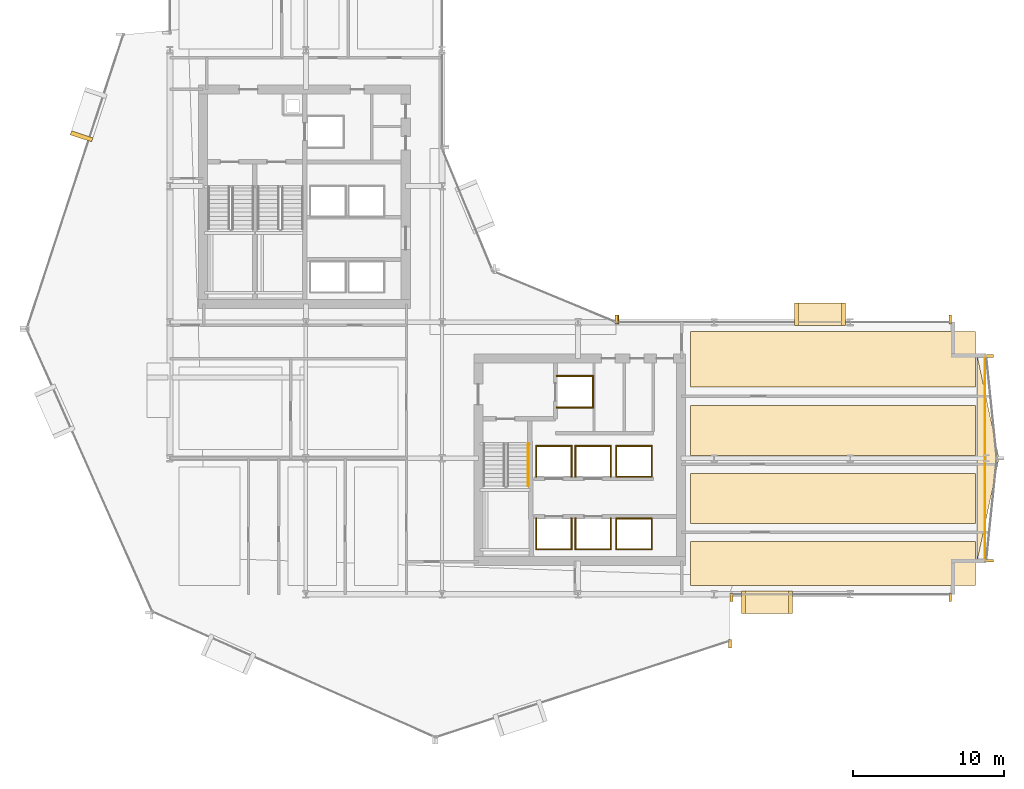
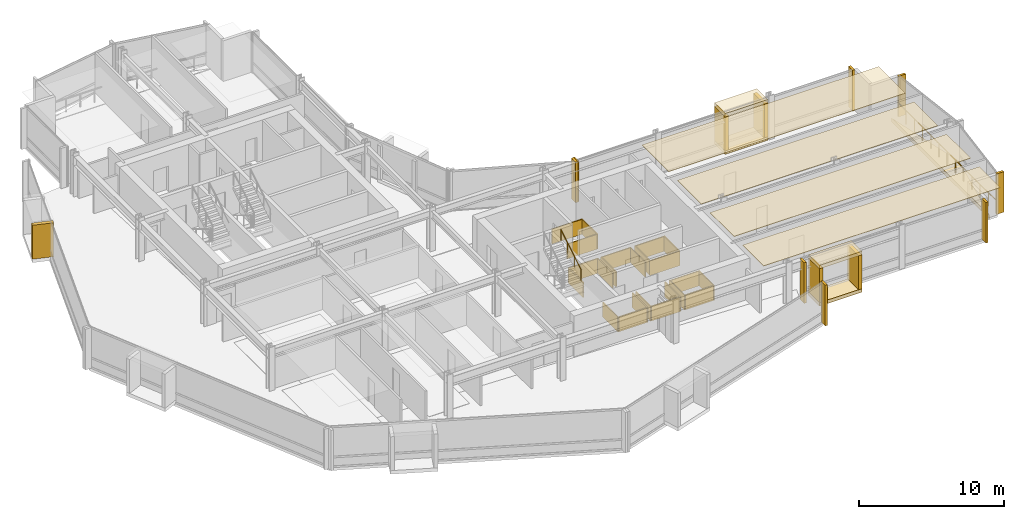
# One storey, part 32 of 34: 45 coverings, 2 railings.
"""IFC4 building model written with IfcOpenShell, lengths in metres."""

from ifc_helpers import new_model, si_unit, direction, frame, origin, origin_2d, place, context, subcontext, project, spatial, polyline, rectangle, circle, outline, extrude, material, layer, layer_set, type_object, element, save


model = new_model("IFC4")

# Units and contexts
model_context = context("Model", 3, precision=1e-05, world=origin(), true_north=direction((0.0, 1.0)))
body_context = subcontext(model_context, "Body", "Model", "MODEL_VIEW")
ifc_project = project(units=[si_unit("LENGTHUNIT", "METRE"), si_unit("AREAUNIT", "SQUARE_METRE"), si_unit("VOLUMEUNIT", "CUBIC_METRE"), si_unit("PLANEANGLEUNIT", "RADIAN"), si_unit("MASSUNIT", "GRAM", prefix="KILO")], contexts=[model_context])

# Site, building, storey
site_placement = place(None, origin())
site = spatial("IfcSite", under=ifc_project, at=site_placement, CompositionType="ELEMENT")
building_placement = place(site_placement, origin())
building = spatial("IfcBuilding", under=site, at=building_placement, Name="Solvaryn Broadcast Tower", CompositionType="ELEMENT")
storey_placement = place(building_placement, frame((0.0, 0.0, 50.800048828125)))
storey = spatial("IfcBuildingStorey", under=building, at=storey_placement, Name="L11", CompositionType="ELEMENT", Elevation=50.800048828125)

# Coverings
ifc_material_1 = material(Name="Micro-Perforated Acoustic Gypsum Ceiling", Category="concrete")
ifc_layer_1 = layer(ifc_material_1, 0.0400390625)
ifc_layer_set_1 = layer_set([ifc_layer_1], Name="CV-CEIL-ACOUSTIC")
covering_type_1 = type_object("IfcCoveringType", Name="CV-CEIL-ACOUSTIC", PredefinedType="CEILING", material=ifc_layer_set_1)
covering_1_placement = place(storey_placement, frame((0.0, 0.0, 3.3798828125)))
element("IfcCovering", 1, at=covering_1_placement, inside=storey, type_object=covering_type_1, Name="L11 Room Acoustic Ceiling 9", PredefinedType="CEILING", context=body_context, shape_type="SweptSolid", body=[
    extrude(outline(polyline([(43.449951171875, 9.60009765625), (62.300048828125, 9.60009765625), (62.300048828125, 12.5), (43.449951171875, 12.5), (43.449951171875, 9.60009765625)])), origin(), (0.0, 0.0, 1.0), 0.0400390625),
])
covering_2_placement = place(storey_placement, frame((0.0, 0.0, 3.3798828125)))
element("IfcCovering", 2, at=covering_2_placement, inside=storey, type_object=covering_type_1, Name="L11 Room Acoustic Ceiling 10", PredefinedType="CEILING", context=body_context, shape_type="SweptSolid", body=[
    extrude(outline(polyline([(43.449951171875, 13.699951171875), (62.300048828125, 13.699951171875), (62.300048828125, 17.0), (43.449951171875, 17.0), (43.449951171875, 13.699951171875)])), origin(), (0.0, 0.0, 1.0), 0.0400390625),
])
covering_3_placement = place(storey_placement, frame((0.0, 0.0, 3.3798828125)))
element("IfcCovering", 3, at=covering_3_placement, inside=storey, type_object=covering_type_1, Name="L11 Room Acoustic Ceiling 11", PredefinedType="CEILING", context=body_context, shape_type="SweptSolid", body=[
    extrude(outline(polyline([(43.449951171875, 18.199951171875), (62.300048828125, 18.199951171875), (62.300048828125, 21.5), (43.449951171875, 21.5), (43.449951171875, 18.199951171875)])), origin(), (0.0, 0.0, 1.0), 0.0400390625),
])
covering_4_placement = place(storey_placement, frame((0.0, 0.0, 3.3798828125)))
element("IfcCovering", 4, at=covering_4_placement, inside=storey, type_object=covering_type_1, Name="L11 Room Acoustic Ceiling 12", PredefinedType="CEILING", context=body_context, shape_type="SweptSolid", body=[
    extrude(outline(polyline([(43.449951171875, 22.699951171875), (62.300048828125, 22.699951171875), (62.300048828125, 26.39990234375), (43.449951171875, 26.39990234375), (43.449951171875, 22.699951171875)])), origin(), (0.0, 0.0, 1.0), 0.0400390625),
])
ifc_material_2 = material(Name="Fire-Rated Gypsum Shaftwall Liner", Category="concrete")
ifc_layer_2 = layer(ifc_material_2, 0.080078125)
ifc_layer_set_2 = layer_set([ifc_layer_2], Name="CV-SHAFT-LINER")
covering_type_2 = type_object("IfcCoveringType", Name="CV-SHAFT-LINER", PredefinedType="CLADDING", material=ifc_layer_set_2)
for number, where, z_axis, x_axis, name in (
    (5, (35.800048828125, 23.43994140625, 0.0), (0.0, 0.0, 1.0), (1.0, 0.0, 0.0), "L11 FL2 Hoistway Shaft Liner North"),
    (6, (35.800048828125, 21.360107421875, 0.0), (0.0, 0.0, 1.0), (1.0, 0.0, 0.0), "L11 FL2 Hoistway Shaft Liner South"),
):
    element("IfcCovering", number, at=place(storey_placement, frame(where, z_axis=z_axis, x_axis=x_axis)), inside=storey, type_object=covering_type_2, Name=name, PredefinedType="CLADDING", context=body_context, shape_type="SweptSolid", body=[
        extrude(rectangle(XDim=2.4599609375, YDim=0.080078125, at=origin_2d()), origin(), (0.0, 0.0, 1.0), 1.25),
    ])
covering_5_placement = place(storey_placement, frame((36.989990234375, 22.39990234375, 0.0), z_axis=(0.0, 0.0, 1.0), x_axis=(1.0, 0.0, 0.0)))
element("IfcCovering", 7, at=covering_5_placement, inside=storey, type_object=covering_type_2, Name="L11 FL2 Hoistway Shaft Liner East", PredefinedType="CLADDING", context=body_context, shape_type="SweptSolid", body=[
    extrude(rectangle(XDim=0.080078125, YDim=2.159912109375, at=origin_2d()), origin(), (0.0, 0.0, 1.0), 1.25),
])
covering_6_placement = place(storey_placement, frame((34.39990234375, 11.985107421875, 0.0), z_axis=(0.0, 0.0, 1.0), x_axis=(1.0, 0.0, 0.0)))
element("IfcCovering", 8, at=covering_6_placement, inside=storey, type_object=covering_type_2, Name="L11 PL1 Hoistway Shaft Liner South", PredefinedType="CLADDING", context=body_context, shape_type="SweptSolid", body=[
    extrude(rectangle(XDim=2.409912109375, YDim=0.080078125, at=origin_2d()), origin(), (0.0, 0.0, 1.0), 1.25),
])
for number, where, z_axis, x_axis, name in (
    (9, (35.56494140625, 13.0, 0.0), (0.0, 0.0, 1.0), (1.0, 0.0, 0.0), "L11 PL1 Hoistway Shaft Liner East"),
    (10, (33.235107421875, 13.0, 0.0), (0.0, 0.0, 1.0), (1.0, 0.0, 0.0), "L11 PL1 Hoistway Shaft Liner West"),
):
    element("IfcCovering", number, at=place(storey_placement, frame(where, z_axis=z_axis, x_axis=x_axis)), inside=storey, type_object=covering_type_2, Name=name, PredefinedType="CLADDING", context=body_context, shape_type="SweptSolid", body=[
        extrude(rectangle(XDim=0.080078125, YDim=2.110107421875, at=origin_2d()), origin(), (0.0, 0.0, 1.0), 1.25),
    ])
covering_7_placement = place(storey_placement, frame((37.0, 11.985107421875, 0.0), z_axis=(0.0, 0.0, 1.0), x_axis=(1.0, 0.0, 0.0)))
element("IfcCovering", 11, at=covering_7_placement, inside=storey, type_object=covering_type_2, Name="L11 PL2 Hoistway Shaft Liner South", PredefinedType="CLADDING", context=body_context, shape_type="SweptSolid", body=[
    extrude(rectangle(XDim=2.409912109375, YDim=0.080078125, at=origin_2d()), origin(), (0.0, 0.0, 1.0), 1.25),
])
for number, where, z_axis, x_axis, name in (
    (12, (38.1650390625, 13.0, 0.0), (0.0, 0.0, 1.0), (1.0, 0.0, 0.0), "L11 PL2 Hoistway Shaft Liner East"),
    (13, (35.8349609375, 13.0, 0.0), (0.0, 0.0, 1.0), (1.0, 0.0, 0.0), "L11 PL2 Hoistway Shaft Liner West"),
):
    element("IfcCovering", number, at=place(storey_placement, frame(where, z_axis=z_axis, x_axis=x_axis)), inside=storey, type_object=covering_type_2, Name=name, PredefinedType="CLADDING", context=body_context, shape_type="SweptSolid", body=[
        extrude(rectangle(XDim=0.080078125, YDim=2.110107421875, at=origin_2d()), origin(), (0.0, 0.0, 1.0), 1.25),
    ])
covering_8_placement = place(storey_placement, frame((34.39990234375, 18.81494140625, 0.0), z_axis=(0.0, 0.0, 1.0), x_axis=(1.0, 0.0, 0.0)))
element("IfcCovering", 14, at=covering_8_placement, inside=storey, type_object=covering_type_2, Name="L11 PL3 Hoistway Shaft Liner North", PredefinedType="CLADDING", context=body_context, shape_type="SweptSolid", body=[
    extrude(rectangle(XDim=2.409912109375, YDim=0.080078125, at=origin_2d()), origin(), (0.0, 0.0, 1.0), 1.25),
])
for number, where, z_axis, x_axis, name in (
    (15, (35.56494140625, 17.800048828125, 0.0), (0.0, 0.0, 1.0), (1.0, 0.0, 0.0), "L11 PL3 Hoistway Shaft Liner East"),
    (16, (33.235107421875, 17.800048828125, 0.0), (0.0, 0.0, 1.0), (1.0, 0.0, 0.0), "L11 PL3 Hoistway Shaft Liner West"),
):
    element("IfcCovering", number, at=place(storey_placement, frame(where, z_axis=z_axis, x_axis=x_axis)), inside=storey, type_object=covering_type_2, Name=name, PredefinedType="CLADDING", context=body_context, shape_type="SweptSolid", body=[
        extrude(rectangle(XDim=0.080078125, YDim=2.110107421875, at=origin_2d()), origin(), (0.0, 0.0, 1.0), 1.25),
    ])
covering_9_placement = place(storey_placement, frame((37.0, 18.81494140625, 0.0), z_axis=(0.0, 0.0, 1.0), x_axis=(1.0, 0.0, 0.0)))
element("IfcCovering", 17, at=covering_9_placement, inside=storey, type_object=covering_type_2, Name="L11 PL4 Hoistway Shaft Liner North", PredefinedType="CLADDING", context=body_context, shape_type="SweptSolid", body=[
    extrude(rectangle(XDim=2.409912109375, YDim=0.080078125, at=origin_2d()), origin(), (0.0, 0.0, 1.0), 1.25),
])
for number, where, z_axis, x_axis, name in (
    (18, (38.1650390625, 17.800048828125, 0.0), (0.0, 0.0, 1.0), (1.0, 0.0, 0.0), "L11 PL4 Hoistway Shaft Liner East"),
    (19, (35.8349609375, 17.800048828125, 0.0), (0.0, 0.0, 1.0), (1.0, 0.0, 0.0), "L11 PL4 Hoistway Shaft Liner West"),
):
    element("IfcCovering", number, at=place(storey_placement, frame(where, z_axis=z_axis, x_axis=x_axis)), inside=storey, type_object=covering_type_2, Name=name, PredefinedType="CLADDING", context=body_context, shape_type="SweptSolid", body=[
        extrude(rectangle(XDim=0.080078125, YDim=2.110107421875, at=origin_2d()), origin(), (0.0, 0.0, 1.0), 1.25),
    ])
for number, where, z_axis, x_axis, name in (
    (20, (39.699951171875, 14.014892578125, 0.0), (0.0, 0.0, 1.0), (1.0, 0.0, 0.0), "L11 PM1 Hoistway Shaft Liner North"),
    (21, (39.699951171875, 11.985107421875, 0.0), (0.0, 0.0, 1.0), (1.0, 0.0, 0.0), "L11 PM1 Hoistway Shaft Liner South"),
):
    element("IfcCovering", number, at=place(storey_placement, frame(where, z_axis=z_axis, x_axis=x_axis)), inside=storey, type_object=covering_type_2, Name=name, PredefinedType="CLADDING", context=body_context, shape_type="SweptSolid", body=[
        extrude(rectangle(XDim=2.409912109375, YDim=0.080078125, at=origin_2d()), origin(), (0.0, 0.0, 1.0), 1.25),
    ])
for number, where, z_axis, x_axis, name in (
    (22, (40.864990234375, 13.0, 0.0), (0.0, 0.0, 1.0), (1.0, 0.0, 0.0), "L11 PM1 Hoistway Shaft Liner East"),
    (23, (38.534912109375, 13.0, 0.0), (0.0, 0.0, 1.0), (1.0, 0.0, 0.0), "L11 PM1 Hoistway Shaft Liner West"),
):
    element("IfcCovering", number, at=place(storey_placement, frame(where, z_axis=z_axis, x_axis=x_axis)), inside=storey, type_object=covering_type_2, Name=name, PredefinedType="CLADDING", context=body_context, shape_type="SweptSolid", body=[
        extrude(rectangle(XDim=0.080078125, YDim=2.110107421875, at=origin_2d()), origin(), (0.0, 0.0, 1.0), 1.25),
    ])
for number, where, z_axis, x_axis, name in (
    (24, (39.699951171875, 18.81494140625, 0.0), (0.0, 0.0, 1.0), (1.0, 0.0, 0.0), "L11 PM2 Hoistway Shaft Liner North"),
    (25, (39.699951171875, 16.784912109375, 0.0), (0.0, 0.0, 1.0), (1.0, 0.0, 0.0), "L11 PM2 Hoistway Shaft Liner South"),
):
    element("IfcCovering", number, at=place(storey_placement, frame(where, z_axis=z_axis, x_axis=x_axis)), inside=storey, type_object=covering_type_2, Name=name, PredefinedType="CLADDING", context=body_context, shape_type="SweptSolid", body=[
        extrude(rectangle(XDim=2.409912109375, YDim=0.080078125, at=origin_2d()), origin(), (0.0, 0.0, 1.0), 1.25),
    ])
for number, where, z_axis, x_axis, name in (
    (26, (40.864990234375, 17.800048828125, 0.0), (0.0, 0.0, 1.0), (1.0, 0.0, 0.0), "L11 PM2 Hoistway Shaft Liner East"),
    (27, (38.534912109375, 17.800048828125, 0.0), (0.0, 0.0, 1.0), (1.0, 0.0, 0.0), "L11 PM2 Hoistway Shaft Liner West"),
):
    element("IfcCovering", number, at=place(storey_placement, frame(where, z_axis=z_axis, x_axis=x_axis)), inside=storey, type_object=covering_type_2, Name=name, PredefinedType="CLADDING", context=body_context, shape_type="SweptSolid", body=[
        extrude(rectangle(XDim=0.080078125, YDim=2.110107421875, at=origin_2d()), origin(), (0.0, 0.0, 1.0), 1.25),
    ])
ifc_material_3 = material(Name="Glazed Architectural Terracotta Rainscreen Cladding", Category="masonry")
ifc_layer_3 = layer(ifc_material_3, 0.280029296875)
ifc_layer_set_3 = layer_set([ifc_layer_3], Name="CV-TC-CLAD")
covering_type_3 = type_object("IfcCoveringType", Name="CV-TC-CLAD", PredefinedType="CLADDING", material=ifc_layer_set_3)
covering_10_placement = place(storey_placement, frame((3.155517578125, 39.298095703125, 0.27978515625), z_axis=(0.0, 0.0, 1.0), x_axis=(-0.311671636848, -0.950189870912, 0.0)))
element("IfcCovering", 28, at=covering_10_placement, inside=storey, type_object=covering_type_3, Name="L11 Projecting Stone Window Box Cheek 1-2", PredefinedType="CLADDING", context=body_context, shape_type="SweptSolid", body=[
    extrude(rectangle(XDim=0.280029296875, YDim=1.5, at=origin_2d()), origin(), (0.0, 0.0, 1.0), 2.860107421875),
])
for number, where, z_axis, x_axis, name in (
    (29, (48.5, 8.469970703125, 3.1298828125), (0.0, 0.0, 1.0), (1.0, 0.0, 0.0), "L11 Projecting Stone Window Box Hood 6"),
    (30, (48.5, 8.469970703125, -0.01025390625), (0.0, 0.0, 1.0), (1.0, 0.0, 0.0), "L11 Projecting Stone Window Box Sill 6"),
):
    element("IfcCovering", number, at=place(storey_placement, frame(where, z_axis=z_axis, x_axis=x_axis)), inside=storey, type_object=covering_type_3, Name=name, PredefinedType="CLADDING", context=body_context, shape_type="SweptSolid", body=[
        extrude(rectangle(XDim=3.39990234375, YDim=1.5, at=origin_2d()), origin(), (0.0, 0.0, 1.0), 0.300048828125),
    ])
for number, where, z_axis, x_axis, name in (
    (31, (46.93994140625, 8.469970703125, 0.27978515625), (0.0, 0.0, 1.0), (1.0, 0.0, 0.0), "L11 Projecting Stone Window Box Cheek 6-1"),
    (32, (50.06005859375, 8.469970703125, 0.27978515625), (0.0, 0.0, 1.0), (1.0, 0.0, 0.0), "L11 Projecting Stone Window Box Cheek 6-2"),
):
    element("IfcCovering", number, at=place(storey_placement, frame(where, z_axis=z_axis, x_axis=x_axis)), inside=storey, type_object=covering_type_3, Name=name, PredefinedType="CLADDING", context=body_context, shape_type="SweptSolid", body=[
        extrude(rectangle(XDim=0.280029296875, YDim=1.5, at=origin_2d()), origin(), (0.0, 0.0, 1.0), 2.860107421875),
    ])
for number, where, z_axis, x_axis, name in (
    (33, (52.0, 27.530029296875, 3.1298828125), (0.0, 0.0, 1.0), (1.0, 0.0, 0.0), "L11 Projecting Stone Window Box Hood 7"),
    (34, (52.0, 27.530029296875, -0.01025390625), (0.0, 0.0, 1.0), (1.0, 0.0, 0.0), "L11 Projecting Stone Window Box Sill 7"),
):
    element("IfcCovering", number, at=place(storey_placement, frame(where, z_axis=z_axis, x_axis=x_axis)), inside=storey, type_object=covering_type_3, Name=name, PredefinedType="CLADDING", context=body_context, shape_type="SweptSolid", body=[
        extrude(rectangle(XDim=3.39990234375, YDim=1.5, at=origin_2d()), origin(), (0.0, 0.0, 1.0), 0.300048828125),
    ])
for number, where, z_axis, x_axis, name in (
    (35, (50.43994140625, 27.530029296875, 0.27978515625), (0.0, 0.0, 1.0), (1.0, 0.0, 0.0), "L11 Projecting Stone Window Box Cheek 7-1"),
    (36, (53.56005859375, 27.530029296875, 0.27978515625), (0.0, 0.0, 1.0), (1.0, 0.0, 0.0), "L11 Projecting Stone Window Box Cheek 7-2"),
):
    element("IfcCovering", number, at=place(storey_placement, frame(where, z_axis=z_axis, x_axis=x_axis)), inside=storey, type_object=covering_type_3, Name=name, PredefinedType="CLADDING", context=body_context, shape_type="SweptSolid", body=[
        extrude(rectangle(XDim=0.280029296875, YDim=1.5, at=origin_2d()), origin(), (0.0, 0.0, 1.0), 2.860107421875),
    ])
ifc_material_4 = material(Name="Extruded Architectural Terracotta Fin", Category="masonry")
ifc_layer_4 = layer(ifc_material_4, 0.179931640625)
ifc_layer_set_4 = layer_set([ifc_layer_4], Name="CV-TC-FIN")
covering_type_4 = type_object("IfcCoveringType", Name="CV-TC-FIN", PredefinedType="USERDEFINED", material=ifc_layer_set_4)
for number, where, z_axis, x_axis, name in (
    (37, (46.043701171875, 5.735595703125, 0.0), (0.0, 0.0, 1.0), (1.0, 0.0, 0.0), "L11 Terracotta Vertical Fin FIN-L11-DR4-M01"),
    (38, (38.541259765625, 27.177978515625, 0.0), (0.0, 0.0, 1.0), (1.0, 0.0, 0.0), "L11 Terracotta Vertical Fin FIN-L11-CN1-M00"),
    (39, (46.14599609375, 8.8125, 0.0), (0.0, 0.0, 1.0), (1.0, 0.0, 0.0), "L11 Terracotta Vertical Fin FIN-L11-S2-M00"),
    (40, (60.6201171875, 8.8125, 0.0), (0.0, 0.0, 1.0), (1.0, 0.0, 0.0), "L11 Terracotta Vertical Fin FIN-L11-S2-M01"),
):
    element("IfcCovering", number, at=place(storey_placement, frame(where, z_axis=z_axis, x_axis=x_axis)), inside=storey, type_object=covering_type_4, Name=name, ObjectType="FIN", PredefinedType="USERDEFINED", context=body_context, shape_type="SweptSolid", body=[
        extrude(rectangle(XDim=0.179931640625, YDim=0.580078125, at=origin_2d()), origin(), (0.0, 0.0, 1.0), 3.419921875),
    ])
for number, where, z_axis, x_axis, name in (
    (41, (63.190673828125, 24.770263671875, 0.0), (0.0, 0.0, 1.0), (1.0, 0.0, 0.0), "L11 Terracotta Vertical Fin FIN-L11-ET1-M00"),
    (42, (63.190673828125, 11.229736328125, 0.0), (0.0, 0.0, 1.0), (1.0, 0.0, 0.0), "L11 Terracotta Vertical Fin FIN-L11-ET2-M01"),
):
    element("IfcCovering", number, at=place(storey_placement, frame(where, z_axis=z_axis, x_axis=x_axis)), inside=storey, type_object=covering_type_4, Name=name, ObjectType="FIN", PredefinedType="USERDEFINED", context=body_context, shape_type="SweptSolid", body=[
        extrude(rectangle(XDim=0.580078125, YDim=0.179931640625, at=origin_2d()), origin(), (0.0, 0.0, 1.0), 3.419921875),
    ])
for number, where, z_axis, x_axis, name in (
    (43, (38.6298828125, 27.1875, 0.0), (0.0, 0.0, 1.0), (1.0, 0.0, 0.0), "L11 Terracotta Vertical Fin FIN-L11-IH-M00"),
    (44, (60.6201171875, 27.1875, 0.0), (0.0, 0.0, 1.0), (1.0, 0.0, 0.0), "L11 Terracotta Vertical Fin FIN-L11-IH-M01"),
):
    element("IfcCovering", number, at=place(storey_placement, frame(where, z_axis=z_axis, x_axis=x_axis)), inside=storey, type_object=covering_type_4, Name=name, ObjectType="FIN", PredefinedType="USERDEFINED", context=body_context, shape_type="SweptSolid", body=[
        extrude(rectangle(XDim=0.179931640625, YDim=0.580078125, at=origin_2d()), origin(), (0.0, 0.0, 1.0), 3.419921875),
    ])
ifc_material_5 = material(Name="Sculpted Architectural Terracotta Wave Fascia", Category="masonry")
ifc_layer_5 = layer(ifc_material_5, 0.340087890625)
ifc_layer_set_5 = layer_set([ifc_layer_5], Name="CV-WAVE-TRAY")
covering_type_5 = type_object("IfcCoveringType", Name="CV-WAVE-TRAY", PredefinedType="CLADDING", material=ifc_layer_set_5)
covering_11_placement = place(storey_placement, frame((0.0, 0.0, -0.300048828125)))
element("IfcCovering", 45, at=covering_11_placement, inside=storey, type_object=covering_type_5, Name="L11 East Curved Wing Deck", PredefinedType="CLADDING", context=body_context, shape_type="SweptSolid", body=[
    extrude(outline(polyline([(62.39990234375, 11.199951171875), (63.85009765625, 18.0), (62.39990234375, 24.800048828125), (62.39990234375, 11.199951171875)])), origin(), (0.0, 0.0, 1.0), 0.330078125),
])

# Railings
ifc_material_6 = material(Name="Brushed Stainless Steel Tubular Handrail", Category="steel")
railing_type_1 = type_object("IfcRailingType", Name="RL-STAIR-HANDRAIL", PredefinedType="HANDRAIL", material=ifc_material_6)
railing_1_placement = place(storey_placement, frame((32.699951171875, 16.159912109375, 2.01806640625)))
element("IfcRailing", 46, at=railing_1_placement, inside=storey, type_object=railing_type_1, Name="L11 ST3 stair handrail 2", PredefinedType="HANDRAIL", context=body_context, shape_type="SweptSolid", body=[
    extrude(circle(Radius=0.02392578125, at=origin_2d()), frame((0.0, 0.0, 0.8759765625), z_axis=(0.0, 0.857242210791, 0.514913383045), x_axis=(-1.0, 0.0, 0.0)), (0.0, 0.0, 1.0), 3.266357421875),
    extrude(circle(Radius=0.02099609375, at=origin_2d()), origin(), (0.0, 0.0, 1.0), 0.851806640625),
    extrude(circle(Radius=0.02099609375, at=origin_2d()), frame((0.0, 0.933349609375, 0.560546875)), (0.0, 0.0, 1.0), 0.851806640625),
    extrude(circle(Radius=0.02099609375, at=origin_2d()), frame((0.0, 1.86669921875, 1.121337890625)), (0.0, 0.0, 1.0), 0.851806640625),
    extrude(circle(Radius=0.02099609375, at=origin_2d()), frame((0.0, 2.800048828125, 1.681884765625)), (0.0, 0.0, 1.0), 0.851806640625),
])
ifc_material_7 = material(Name="Stainless Steel and Laminated Glass Guard", Category="steel")
railing_type_2 = type_object("IfcRailingType", Name="RL-TER-1150", PredefinedType="BALUSTRADE", material=ifc_material_7)
railing_2_placement = place(storey_placement, frame((62.919921875, 11.199951171875, 0.0)))
element("IfcRailing", 47, at=railing_2_placement, inside=storey, type_object=railing_type_2, Name="L11 East Wing Spandrel Edge Guard", PredefinedType="BALUSTRADE", context=body_context, shape_type="SweptSolid", body=[
    extrude(circle(Radius=0.02392578125, at=origin_2d()), frame((0.0, 0.0, 1.1259765625), z_axis=(0.0, 1.0, 0.0), x_axis=(-1.0, 0.0, 0.0)), (0.0, 0.0, 1.0), 13.60009765625),
    extrude(circle(Radius=0.02099609375, at=origin_2d()), origin(), (0.0, 0.0, 1.0), 1.101806640625),
    extrude(circle(Radius=0.02099609375, at=origin_2d()), frame((0.0, 1.13330078125, 0.0)), (0.0, 0.0, 1.0), 1.101806640625),
    extrude(circle(Radius=0.02099609375, at=origin_2d()), frame((0.0, 2.2666015625, 0.0)), (0.0, 0.0, 1.0), 1.101806640625),
    extrude(circle(Radius=0.02099609375, at=origin_2d()), frame((0.0, 3.39990234375, 0.0)), (0.0, 0.0, 1.0), 1.101806640625),
    extrude(circle(Radius=0.02099609375, at=origin_2d()), frame((0.0, 4.533447265625, 0.0)), (0.0, 0.0, 1.0), 1.101806640625),
    extrude(circle(Radius=0.02099609375, at=origin_2d()), frame((0.0, 5.666748046875, 0.0)), (0.0, 0.0, 1.0), 1.101806640625),
    extrude(circle(Radius=0.02099609375, at=origin_2d()), frame((0.0, 6.800048828125, 0.0)), (0.0, 0.0, 1.0), 1.101806640625),
    extrude(circle(Radius=0.02099609375, at=origin_2d()), frame((0.0, 7.933349609375, 0.0)), (0.0, 0.0, 1.0), 1.101806640625),
    extrude(circle(Radius=0.02099609375, at=origin_2d()), frame((0.0, 9.066650390625, 0.0)), (0.0, 0.0, 1.0), 1.101806640625),
    extrude(circle(Radius=0.02099609375, at=origin_2d()), frame((0.0, 10.2001953125, 0.0)), (0.0, 0.0, 1.0), 1.101806640625),
    extrude(circle(Radius=0.02099609375, at=origin_2d()), frame((0.0, 11.33349609375, 0.0)), (0.0, 0.0, 1.0), 1.101806640625),
    extrude(circle(Radius=0.02099609375, at=origin_2d()), frame((0.0, 12.466796875, 0.0)), (0.0, 0.0, 1.0), 1.101806640625),
    extrude(circle(Radius=0.02099609375, at=origin_2d()), frame((0.0, 13.60009765625, 0.0)), (0.0, 0.0, 1.0), 1.101806640625),
])

save(model, "model.ifc")
